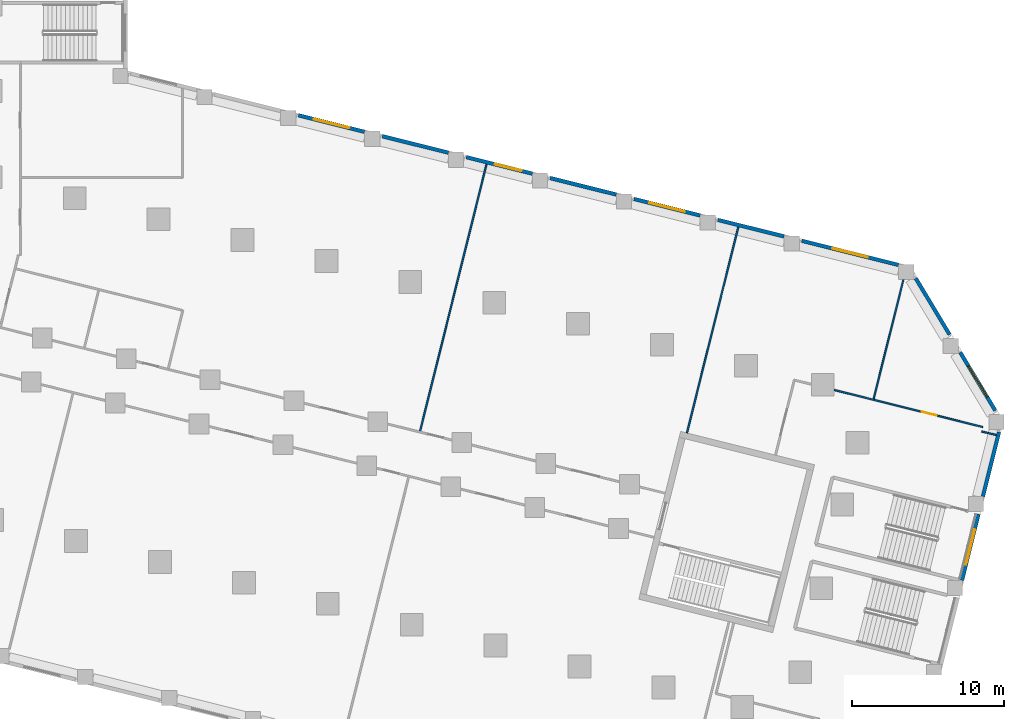
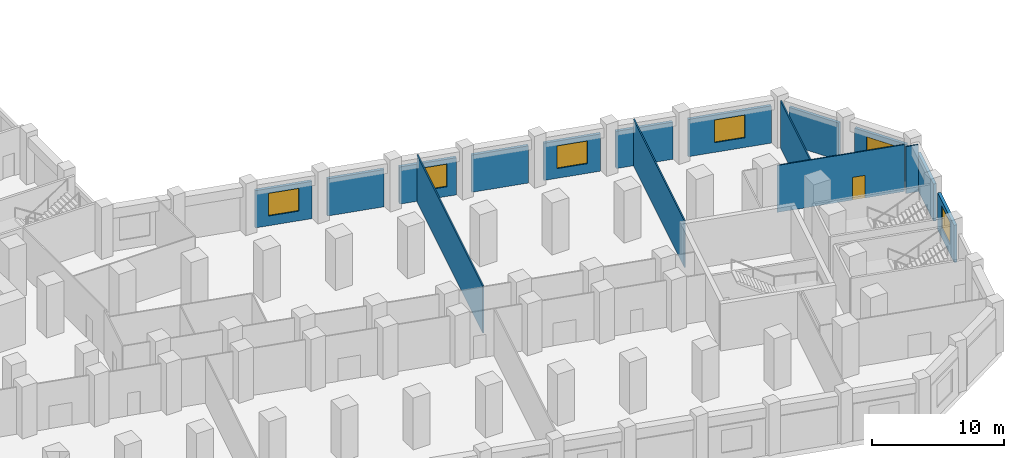
# One storey, part 7 of 16: 16 walls, 6 windows, 1 door, 7 openings.
"""IFC4 building model written with IfcOpenShell, lengths in metres."""

from ifc_helpers import new_model, si_unit, direction, frame, frame_2d, origin, place, context, subcontext, project, spatial, rectangle, extrude, material, layer, layer_set, type_object, element, fill, save


model = new_model("IFC4")

# Units and contexts
model_context = context("Model", 3, precision=1e-05, world=origin(), true_north=direction((0.0, 1.0)))
body_context = subcontext(model_context, "Body", "Model", "MODEL_VIEW")
ifc_project = project(units=[si_unit("LENGTHUNIT", "METRE"), si_unit("AREAUNIT", "SQUARE_METRE"), si_unit("VOLUMEUNIT", "CUBIC_METRE"), si_unit("PLANEANGLEUNIT", "RADIAN"), si_unit("MASSUNIT", "GRAM", prefix="KILO")], contexts=[model_context])

# Site, building, storey
site_placement = place(None, origin())
site = spatial("IfcSite", under=ifc_project, at=site_placement, CompositionType="ELEMENT")
building_placement = place(site_placement, origin())
building = spatial("IfcBuilding", under=site, at=building_placement, Name="Meshkara Civic Tower", CompositionType="ELEMENT")
storey_placement = place(building_placement, frame((0.0, 0.0, 18.60009765625)))
storey = spatial("IfcBuildingStorey", under=building, at=storey_placement, Name="L03", CompositionType="ELEMENT", Elevation=18.60009765625)

# Wall, opening, door
ifc_material_1 = material(Name="Corridor wall 100")
ifc_layer_1 = layer(ifc_material_1, 0.10009765625)
ifc_layer_set_1 = layer_set([ifc_layer_1], Name="Corridor wall 100")
wall_type_1 = type_object("IfcWallType", Name="Corridor wall 100", PredefinedType="PARTITIONING", material=ifc_layer_set_1)
wall_1_placement = place(storey_placement, frame((88.9560546875, 0.699951171875, 0.0), z_axis=(0.0, 0.0, 1.0), x_axis=(0.970310450884, -0.241862830763, 0.0)))
wall_1 = element("IfcWall", 1, at=wall_1_placement, inside=storey, type_object=wall_type_1, Name="L03-R078", PredefinedType="PARTITIONING", context=body_context, shape_type="SweptSolid", body=[
    extrude(rectangle(XDim=10.075927734375, YDim=0.10009765625, at=frame_2d((5.0380859375, 0.0))), origin(), (0.0, 0.0, 1.0), 4.349853515625),
])
opening_1_placement = place(wall_1_placement, frame((5.93505859375, 0.0, 0.0)))
opening_1 = element("IfcOpeningElement", 2, at=opening_1_placement, cuts=wall_1, Name="Opening L03-P012", PredefinedType="OPENING", context=body_context, shape_type="SweptSolid", body=[
    extrude(rectangle(XDim=1.0, YDim=2.10009765625, at=frame_2d((0.5, 1.050048828125))), frame((0.0, 0.06005859375, 0.0), z_axis=(0.0, -1.0, 0.0), x_axis=(1.0, 0.0, 0.0)), (0.0, 0.0, 1.0), 0.1201171875),
])
ifc_material_2 = material(Name="Door 1000 x 2100")
door_type = type_object("IfcDoorType", Name="Door 1000 x 2100", OperationType="SINGLE_SWING_LEFT", PredefinedType="DOOR", material=ifc_material_2)
door_placement = place(opening_1_placement, origin())
door = element("IfcDoor", 3, at=door_placement, inside=storey, type_object=door_type, Name="L03-P012", OperationType="SINGLE_SWING_RIGHT", OverallHeight=2.10009765625, OverallWidth=1.0, PredefinedType="DOOR", context=body_context, shape_type="SweptSolid", body=[
    extrude(rectangle(XDim=1.0, YDim=2.10009765625, at=frame_2d((0.5, 1.050048828125))), frame((0.0, 0.02490234375, 0.0), z_axis=(0.0, -1.0, 0.0), x_axis=(1.0, 0.0, 0.0)), (0.0, 0.0, 1.0), 0.050048828125),
])
fill(opening_1, door)

# Wall
wall_2_placement = place(storey_placement, frame((99.63037109375, -2.27001953125, 0.0), z_axis=(0.0, 0.0, 1.0), x_axis=(-0.970300241929, 0.241903783585, 0.0)))
element("IfcWall", 4, at=wall_2_placement, inside=storey, type_object=wall_type_1, Name="L03-R081", PredefinedType="PARTITIONING", context=body_context, shape_type="SweptSolid", body=[
    extrude(rectangle(XDim=1.000244140625, YDim=0.10009765625, at=frame_2d((0.5, 0.0))), origin(), (0.0, 0.0, 1.0), 4.349853515625),
])

# Wall, opening, window
ifc_material_3 = material(Name="Stone cladding on insulated backing wall", Category="masonry")
ifc_layer_2 = layer(ifc_material_3, 0.25)
ifc_layer_set_2 = layer_set([ifc_layer_2], Name="PODIUM STONE WALL 250")
wall_type_2 = type_object("IfcWallType", Name="PODIUM STONE WALL 250", PredefinedType="SOLIDWALL", material=ifc_layer_set_2)
wall_3_placement = place(storey_placement, frame((97.373046875, -11.837890625, 0.0), z_axis=(0.0, 0.0, 1.0), x_axis=(0.241946839653, 0.970289506684, 0.0)))
wall_3 = element("IfcWall", 5, at=wall_3_placement, inside=storey, type_object=wall_type_2, Name="Podium external wall", PredefinedType="SOLIDWALL", context=body_context, shape_type="SweptSolid", body=[
    extrude(rectangle(XDim=4.48828125, YDim=0.25, at=frame_2d((2.244140625, 0.0))), origin(), (0.0, 0.0, 1.0), 3.449951171875),
])
opening_2_placement = place(wall_3_placement, frame((1.0439453125, 0.0, 0.89990234375)))
opening_2 = element("IfcOpeningElement", 6, at=opening_2_placement, cuts=wall_3, Name="Opening PW10", PredefinedType="OPENING", context=body_context, shape_type="SweptSolid", body=[
    extrude(rectangle(XDim=2.39990234375, YDim=2.10009765625, at=frame_2d((1.199951171875, 1.050048828125))), frame((0.0, 0.135009765625, 0.0), z_axis=(0.0, -1.0, 0.0), x_axis=(1.0, 0.0, 0.0)), (0.0, 0.0, 1.0), 0.27001953125),
])
ifc_material_4 = material(Name="Tinted double glazing", Category="glass")
window_type_1 = type_object("IfcWindowType", Name="PODIUM WINDOW 2400x2100", PartitioningType="DOUBLE_PANEL_VERTICAL", PredefinedType="WINDOW", material=ifc_material_4)
window_1_placement = place(opening_2_placement, origin())
window_1 = element("IfcWindow", 7, at=window_1_placement, inside=storey, type_object=window_type_1, Name="Podium window", OverallHeight=2.10009765625, OverallWidth=2.39990234375, PartitioningType="DOUBLE_PANEL_VERTICAL", PredefinedType="WINDOW", context=body_context, shape_type="SweptSolid", body=[
    extrude(rectangle(XDim=2.39990234375, YDim=2.10009765625, at=frame_2d((1.199951171875, 1.050048828125))), frame((0.0, 0.030029296875, 0.0), z_axis=(0.0, -1.0, 0.0), x_axis=(1.0, 0.0, 0.0)), (0.0, 0.0, 1.0), 0.06005859375),
])
fill(opening_2, window_1)

# Wall
wall_4_placement = place(storey_placement, frame((98.7529296875, -6.306884765625, 0.0), z_axis=(0.0, 0.0, 1.0), x_axis=(0.241823818975, 0.97032017426, 0.0)))
element("IfcWall", 8, at=wall_4_placement, inside=storey, type_object=wall_type_2, Name="Podium external wall", PredefinedType="SOLIDWALL", context=body_context, shape_type="SweptSolid", body=[
    extrude(rectangle(XDim=4.3583984375, YDim=0.25, at=frame_2d((2.17919921875, 0.0))), origin(), (0.0, 0.0, 1.0), 3.449951171875),
])

# Wall, opening, window
wall_5_placement = place(storey_placement, frame((99.56298828125, -0.655029296875, 0.0), z_axis=(0.0, 0.0, 1.0), x_axis=(-0.515145569797, 0.857102702083, 0.0)))
wall_5 = element("IfcWall", 9, at=wall_5_placement, inside=storey, type_object=wall_type_2, Name="Podium external wall", PredefinedType="SOLIDWALL", context=body_context, shape_type="SweptSolid", body=[
    extrude(rectangle(XDim=4.474365234375, YDim=0.25, at=frame_2d((2.2373046875, 0.0))), origin(), (0.0, 0.0, 1.0), 3.449951171875),
])
opening_3_placement = place(wall_5_placement, frame((1.037109375, 0.0, 0.89990234375)))
opening_3 = element("IfcOpeningElement", 10, at=opening_3_placement, cuts=wall_5, Name="Opening PW10", PredefinedType="OPENING", context=body_context, shape_type="SweptSolid", body=[
    extrude(rectangle(XDim=2.39990234375, YDim=2.10009765625, at=frame_2d((1.199951171875, 1.050048828125))), frame((0.0, 0.135009765625, 0.0), z_axis=(0.0, -1.0, 0.0), x_axis=(1.0, 0.0, 0.0)), (0.0, 0.0, 1.0), 0.27001953125),
])
window_2_placement = place(opening_3_placement, origin())
window_2 = element("IfcWindow", 11, at=window_2_placement, inside=storey, type_object=window_type_1, Name="Podium window", OverallHeight=2.10009765625, OverallWidth=2.39990234375, PartitioningType="DOUBLE_PANEL_VERTICAL", PredefinedType="WINDOW", context=body_context, shape_type="SweptSolid", body=[
    extrude(rectangle(XDim=2.39990234375, YDim=2.10009765625, at=frame_2d((1.199951171875, 1.050048828125))), frame((0.0, 0.030029296875, 0.0), z_axis=(0.0, -1.0, 0.0), x_axis=(1.0, 0.0, 0.0)), (0.0, 0.0, 1.0), 0.06005859375),
])
fill(opening_3, window_2)

# Wall
wall_6_placement = place(storey_placement, frame((96.552001953125, 4.35595703125, 0.0), z_axis=(0.0, 0.0, 1.0), x_axis=(-0.51527536796, 0.857024675942, 0.0)))
element("IfcWall", 12, at=wall_6_placement, inside=storey, type_object=wall_type_2, Name="Podium external wall", PredefinedType="SOLIDWALL", context=body_context, shape_type="SweptSolid", body=[
    extrude(rectangle(XDim=4.32763671875, YDim=0.25, at=frame_2d((2.163818359375, 0.0))), origin(), (0.0, 0.0, 1.0), 3.449951171875),
])

# Wall, opening, window
wall_7_placement = place(storey_placement, frame((93.180908203125, 8.947021484375, 0.0), z_axis=(0.0, 0.0, 1.0), x_axis=(-0.970262712144, 0.242054269584, 0.0)))
wall_7 = element("IfcWall", 13, at=wall_7_placement, inside=storey, type_object=wall_type_2, Name="Podium external wall", PredefinedType="SOLIDWALL", context=body_context, shape_type="SweptSolid", body=[
    extrude(rectangle(XDim=6.564208984375, YDim=0.25, at=frame_2d((3.2822265625, 0.0))), origin(), (0.0, 0.0, 1.0), 3.449951171875),
])
opening_4_placement = place(wall_7_placement, frame((2.08203125, 0.0, 0.89990234375)))
opening_4 = element("IfcOpeningElement", 14, at=opening_4_placement, cuts=wall_7, Name="Opening PW10", PredefinedType="OPENING", context=body_context, shape_type="SweptSolid", body=[
    extrude(rectangle(XDim=2.39990234375, YDim=2.10009765625, at=frame_2d((1.199951171875, 1.050048828125))), frame((0.0, 0.135009765625, 0.0), z_axis=(0.0, -1.0, 0.0), x_axis=(1.0, 0.0, 0.0)), (0.0, 0.0, 1.0), 0.27001953125),
])
window_3_placement = place(opening_4_placement, origin())
window_3 = element("IfcWindow", 15, at=window_3_placement, inside=storey, type_object=window_type_1, Name="Podium window", OverallHeight=2.10009765625, OverallWidth=2.39990234375, PartitioningType="DOUBLE_PANEL_VERTICAL", PredefinedType="WINDOW", context=body_context, shape_type="SweptSolid", body=[
    extrude(rectangle(XDim=2.39990234375, YDim=2.10009765625, at=frame_2d((1.199951171875, 1.050048828125))), frame((0.0, 0.030029296875, 0.0), z_axis=(0.0, -1.0, 0.0), x_axis=(1.0, 0.0, 0.0)), (0.0, 0.0, 1.0), 0.06005859375),
])
fill(opening_4, window_3)

# Wall
wall_8_placement = place(storey_placement, frame((85.635986328125, 10.8291015625, 0.0), z_axis=(0.0, 0.0, 1.0), x_axis=(-0.970327846266, 0.241793032904, 0.0)))
element("IfcWall", 16, at=wall_8_placement, inside=storey, type_object=wall_type_2, Name="Podium external wall", PredefinedType="SOLIDWALL", context=body_context, shape_type="SweptSolid", body=[
    extrude(rectangle(XDim=4.487060546875, YDim=0.25, at=frame_2d((2.24365234375, 0.0))), origin(), (0.0, 0.0, 1.0), 3.449951171875),
])

# Wall, opening, window
wall_9_placement = place(storey_placement, frame((80.10595703125, 12.2080078125, 0.0), z_axis=(0.0, 0.0, 1.0), x_axis=(-0.970289506684, 0.241946839653, 0.0)))
wall_9 = element("IfcWall", 17, at=wall_9_placement, inside=storey, type_object=wall_type_2, Name="Podium external wall", PredefinedType="SOLIDWALL", context=body_context, shape_type="SweptSolid", body=[
    extrude(rectangle(XDim=4.48828125, YDim=0.25, at=frame_2d((2.244140625, 0.0))), origin(), (0.0, 0.0, 1.0), 3.449951171875),
])
opening_5_placement = place(wall_9_placement, frame((1.0439453125, 0.0, 0.89990234375)))
opening_5 = element("IfcOpeningElement", 18, at=opening_5_placement, cuts=wall_9, Name="Opening PW10", PredefinedType="OPENING", context=body_context, shape_type="SweptSolid", body=[
    extrude(rectangle(XDim=2.39990234375, YDim=2.10009765625, at=frame_2d((1.199951171875, 1.050048828125))), frame((0.0, 0.135009765625, 0.0), z_axis=(0.0, -1.0, 0.0), x_axis=(1.0, 0.0, 0.0)), (0.0, 0.0, 1.0), 0.27001953125),
])
window_4_placement = place(opening_5_placement, origin())
window_4 = element("IfcWindow", 19, at=window_4_placement, inside=storey, type_object=window_type_1, Name="Podium window", OverallHeight=2.10009765625, OverallWidth=2.39990234375, PartitioningType="DOUBLE_PANEL_VERTICAL", PredefinedType="WINDOW", context=body_context, shape_type="SweptSolid", body=[
    extrude(rectangle(XDim=2.39990234375, YDim=2.10009765625, at=frame_2d((1.199951171875, 1.050048828125))), frame((0.0, 0.030029296875, 0.0), z_axis=(0.0, -1.0, 0.0), x_axis=(1.0, 0.0, 0.0)), (0.0, 0.0, 1.0), 0.06005859375),
])
fill(opening_5, window_4)

# Wall
wall_10_placement = place(storey_placement, frame((74.574951171875, 13.5869140625, 0.0), z_axis=(0.0, 0.0, 1.0), x_axis=(-0.970276735926, 0.241998049004, 0.0)))
element("IfcWall", 20, at=wall_10_placement, inside=storey, type_object=wall_type_2, Name="Podium external wall", PredefinedType="SOLIDWALL", context=body_context, shape_type="SweptSolid", body=[
    extrude(rectangle(XDim=4.48828125, YDim=0.25, at=frame_2d((2.244140625, 0.0))), origin(), (0.0, 0.0, 1.0), 3.449951171875),
])

# Wall, opening, window
wall_11_placement = place(storey_placement, frame((69.0439453125, 14.966064453125, 0.0), z_axis=(0.0, 0.0, 1.0), x_axis=(-0.970276766004, 0.241997928406, 0.0)))
wall_11 = element("IfcWall", 21, at=wall_11_placement, inside=storey, type_object=wall_type_2, Name="Podium external wall", PredefinedType="SOLIDWALL", context=body_context, shape_type="SweptSolid", body=[
    extrude(rectangle(XDim=4.4873046875, YDim=0.25, at=frame_2d((2.24365234375, 0.0))), origin(), (0.0, 0.0, 1.0), 3.449951171875),
])
opening_6_placement = place(wall_11_placement, frame((0.736083984375, 0.0, 0.89990234375)))
opening_6 = element("IfcOpeningElement", 22, at=opening_6_placement, cuts=wall_11, Name="Opening PW11", PredefinedType="OPENING", context=body_context, shape_type="SweptSolid", body=[
    extrude(rectangle(XDim=1.800048828125, YDim=2.10009765625, at=frame_2d((0.89990234375, 1.050048828125))), frame((0.0, 0.135009765625, 0.0), z_axis=(0.0, -1.0, 0.0), x_axis=(1.0, 0.0, 0.0)), (0.0, 0.0, 1.0), 0.27001953125),
])
ifc_material_5 = material(Name="Tinted double glazing", Category="glass")
window_type_2 = type_object("IfcWindowType", Name="PODIUM WINDOW 1800x2100", PartitioningType="DOUBLE_PANEL_VERTICAL", PredefinedType="WINDOW", material=ifc_material_5)
window_5_placement = place(opening_6_placement, origin())
window_5 = element("IfcWindow", 23, at=window_5_placement, inside=storey, type_object=window_type_2, Name="Podium window", OverallHeight=2.10009765625, OverallWidth=1.800048828125, PartitioningType="DOUBLE_PANEL_VERTICAL", PredefinedType="WINDOW", context=body_context, shape_type="SweptSolid", body=[
    extrude(rectangle(XDim=1.800048828125, YDim=2.10009765625, at=frame_2d((0.89990234375, 1.050048828125))), frame((0.0, 0.030029296875, 0.0), z_axis=(0.0, -1.0, 0.0), x_axis=(1.0, 0.0, 0.0)), (0.0, 0.0, 1.0), 0.06005859375),
])
fill(opening_6, window_5)

# Wall
wall_12_placement = place(storey_placement, frame((63.513916015625, 16.344970703125, 0.0), z_axis=(0.0, 0.0, 1.0), x_axis=(-0.970289506684, 0.241946839653, 0.0)))
element("IfcWall", 24, at=wall_12_placement, inside=storey, type_object=wall_type_2, Name="Podium external wall", PredefinedType="SOLIDWALL", context=body_context, shape_type="SweptSolid", body=[
    extrude(rectangle(XDim=4.48828125, YDim=0.25, at=frame_2d((2.244140625, 0.0))), origin(), (0.0, 0.0, 1.0), 3.449951171875),
])

# Wall, opening, window
wall_13_placement = place(storey_placement, frame((57.98291015625, 17.72412109375, 0.0), z_axis=(0.0, 0.0, 1.0), x_axis=(-0.970289506684, 0.241946839653, 0.0)))
wall_13 = element("IfcWall", 25, at=wall_13_placement, inside=storey, type_object=wall_type_2, Name="Podium external wall", PredefinedType="SOLIDWALL", context=body_context, shape_type="SweptSolid", body=[
    extrude(rectangle(XDim=4.48828125, YDim=0.25, at=frame_2d((2.244140625, 0.0))), origin(), (0.0, 0.0, 1.0), 3.449951171875),
])
opening_7_placement = place(wall_13_placement, frame((1.0439453125, 0.0, 0.89990234375)))
opening_7 = element("IfcOpeningElement", 26, at=opening_7_placement, cuts=wall_13, Name="Opening PW10", PredefinedType="OPENING", context=body_context, shape_type="SweptSolid", body=[
    extrude(rectangle(XDim=2.39990234375, YDim=2.10009765625, at=frame_2d((1.199951171875, 1.050048828125))), frame((0.0, 0.135009765625, 0.0), z_axis=(0.0, -1.0, 0.0), x_axis=(1.0, 0.0, 0.0)), (0.0, 0.0, 1.0), 0.27001953125),
])
window_6_placement = place(opening_7_placement, origin())
window_6 = element("IfcWindow", 27, at=window_6_placement, inside=storey, type_object=window_type_1, Name="Podium window", OverallHeight=2.10009765625, OverallWidth=2.39990234375, PartitioningType="DOUBLE_PANEL_VERTICAL", PredefinedType="WINDOW", context=body_context, shape_type="SweptSolid", body=[
    extrude(rectangle(XDim=2.39990234375, YDim=2.10009765625, at=frame_2d((1.199951171875, 1.050048828125))), frame((0.0, 0.030029296875, 0.0), z_axis=(0.0, -1.0, 0.0), x_axis=(1.0, 0.0, 0.0)), (0.0, 0.0, 1.0), 0.06005859375),
])
fill(opening_7, window_6)

# Walls
ifc_material_6 = material(Name="Partition 100")
ifc_layer_3 = layer(ifc_material_6, 0.10009765625)
ifc_layer_set_3 = layer_set([ifc_layer_3], Name="Partition 100")
wall_type_3 = type_object("IfcWallType", Name="Partition 100", PredefinedType="PARTITIONING", material=ifc_layer_set_3)
wall_14_placement = place(storey_placement, frame((61.64208984375, -2.02197265625, 0.0), z_axis=(0.0, 0.0, 1.0), x_axis=(0.24187722117, 0.97030686377, 0.0)))
element("IfcWall", 28, at=wall_14_placement, inside=storey, type_object=wall_type_3, Name="L03-R102", PredefinedType="PARTITIONING", context=body_context, shape_type="SweptSolid", body=[
    extrude(rectangle(XDim=18.149169921875, YDim=0.10009765625, at=frame_2d((9.07470703125, 0.0))), origin(), (0.0, 0.0, 1.0), 4.349853515625),
])
wall_15_placement = place(storey_placement, frame((79.238037109375, -2.133056640625, 0.0), z_axis=(0.0, 0.0, 1.0), x_axis=(0.241850296719, 0.970313575076, 0.0)))
element("IfcWall", 29, at=wall_15_placement, inside=storey, type_object=wall_type_3, Name="L03-R104", PredefinedType="PARTITIONING", context=body_context, shape_type="SweptSolid", body=[
    extrude(rectangle(XDim=13.999267578125, YDim=0.10009765625, at=frame_2d((6.99951171875, 0.0))), origin(), (0.0, 0.0, 1.0), 4.349853515625),
])
wall_16_placement = place(storey_placement, frame((91.544921875, 0.10693359375, 0.0), z_axis=(0.0, 0.0, 1.0), x_axis=(0.242003618955, 0.970275346699, 0.0)))
element("IfcWall", 30, at=wall_16_placement, inside=storey, type_object=wall_type_3, Name="L03-R105", PredefinedType="PARTITIONING", context=body_context, shape_type="SweptSolid", body=[
    extrude(rectangle(XDim=8.098876953125, YDim=0.10009765625, at=frame_2d((4.04931640625, 0.0))), origin(), (0.0, 0.0, 1.0), 4.349853515625),
])

save(model, "model.ifc")
